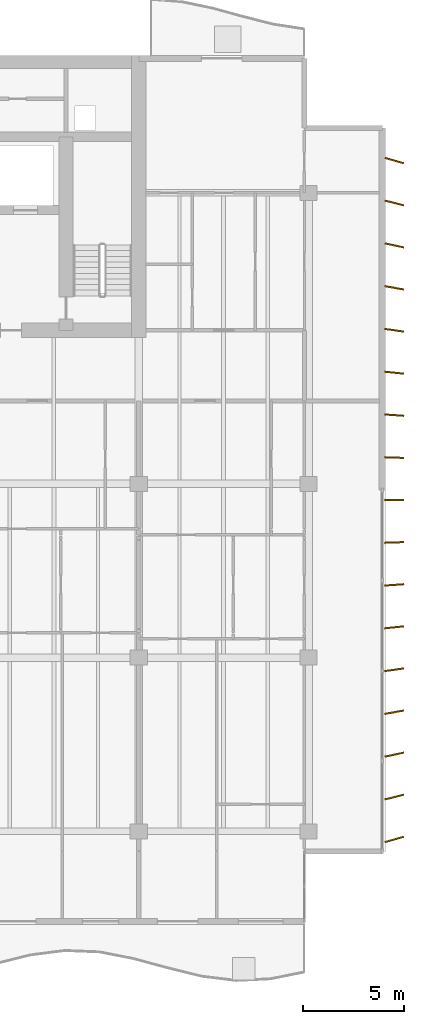
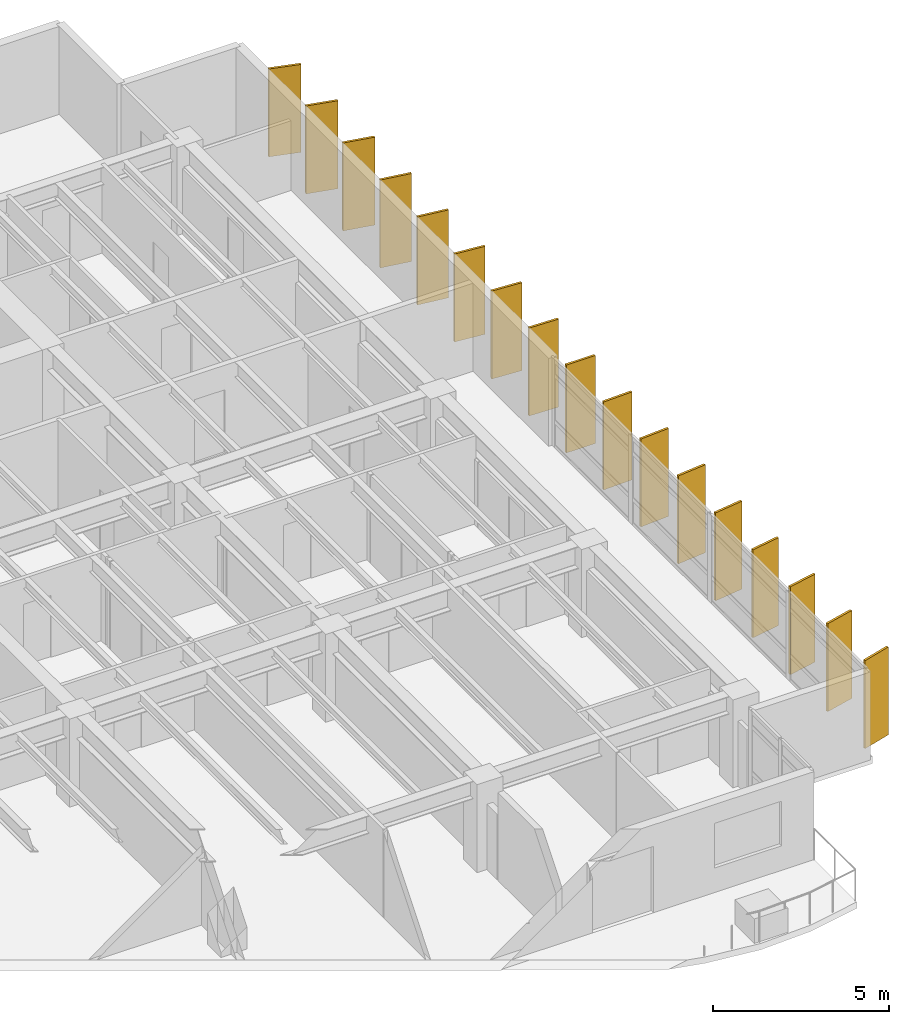
# One storey, part 19 of 19: 17 shading devices.
"""IFC4 building model written with IfcOpenShell, lengths in metres."""

from ifc_helpers import new_model, si_unit, direction, frame, origin, origin_2d, place, context, subcontext, project, spatial, rectangle, extrude, material, material_profile, profile_set, type_object, element, save


model = new_model("IFC4")

# Units and contexts
model_context = context("Model", 3, precision=1e-05, world=origin(), true_north=direction((0.0, 1.0)))
body_context = subcontext(model_context, "Body", "Model", "MODEL_VIEW")
ifc_project = project(units=[si_unit("LENGTHUNIT", "METRE"), si_unit("AREAUNIT", "SQUARE_METRE"), si_unit("VOLUMEUNIT", "CUBIC_METRE"), si_unit("PLANEANGLEUNIT", "RADIAN"), si_unit("MASSUNIT", "GRAM", prefix="KILO")], contexts=[model_context])

# Site, building, storey
site_placement = place(None, origin())
site = spatial("IfcSite", under=ifc_project, at=site_placement, CompositionType="ELEMENT")
building_placement = place(site_placement, origin())
building = spatial("IfcBuilding", under=site, at=building_placement, Name="Caelmar Bay Residences", CompositionType="ELEMENT")
storey_placement = place(building_placement, frame((0.0, 0.0, 191.699951171875)))
storey = spatial("IfcBuildingStorey", under=building, at=storey_placement, Name="L53", CompositionType="ELEMENT", Elevation=191.699951171875)

# Shading devices
ifc_material = material(Name="Anodised architectural bronze aluminium 6063-T6", Category="aluminium")
ifc_material_profile = material_profile(ifc_material, rectangle(XDim=0.074951171875, YDim=0.949951171875, at=origin_2d()), Name="BRONZE-FIN-75X950")
ifc_profile_set = profile_set([ifc_material_profile], Name="Anodised architectural bronze aluminium 6063-T6")
shading_device_type = type_object("IfcShadingDeviceType", Name="SHD-FIN-950", PredefinedType="USERDEFINED", material=ifc_profile_set)
for number, where, z_axis, x_axis, name in (
    (1, (72.14990234375, 11.800048828125, 0.0), (0.0, 0.0, 1.0), (-0.275637355817, 0.961261695938, 0.0), "L53 East Bronze Solar Fin 1"),
    (2, (72.14990234375, 13.89990234375, 0.0), (0.0, 0.0, 1.0), (-0.2419218956, 0.970295726276, 0.0), "L53 East Bronze Solar Fin 2"),
    (3, (72.14990234375, 16.0, 0.0), (0.0, 0.0, 1.0), (-0.207911690818, 0.978147600734, 0.0), "L53 East Bronze Solar Fin 3"),
    (4, (72.14990234375, 18.10009765625, 0.0), (0.0, 0.0, 1.0), (-0.173648177667, 0.984807753012, 0.0), "L53 East Bronze Solar Fin 4"),
    (5, (72.14990234375, 20.199951171875, 0.0), (0.0, 0.0, 1.0), (-0.13917310096, 0.990268068742, 0.0), "L53 East Bronze Solar Fin 5"),
    (6, (72.14990234375, 22.300048828125, 0.0), (0.0, 0.0, 1.0), (-0.104528463268, 0.994521895368, 0.0), "L53 East Bronze Solar Fin 6"),
    (7, (72.14990234375, 24.39990234375, 0.0), (0.0, 0.0, 1.0), (-0.069756473744, 0.99756405026, 0.0), "L53 East Bronze Solar Fin 7"),
    (8, (72.14990234375, 26.5, 0.0), (0.0, 0.0, 1.0), (-0.034899496703, 0.999390827019, 0.0), "L53 East Bronze Solar Fin 8"),
    (9, (72.14990234375, 28.60009765625, 0.0), (0.0, 0.0, 1.0), (0.0, 1.0, 0.0), "L53 East Bronze Solar Fin 9"),
    (10, (72.14990234375, 30.699951171875, 0.0), (0.0, 0.0, 1.0), (0.034899496703, 0.999390827019, 0.0), "L53 East Bronze Solar Fin 10"),
    (11, (72.14990234375, 32.800048828125, 0.0), (0.0, 0.0, 1.0), (0.069756473744, 0.99756405026, 0.0), "L53 East Bronze Solar Fin 11"),
    (12, (72.14990234375, 34.89990234375, 0.0), (0.0, 0.0, 1.0), (0.104528463268, 0.994521895368, 0.0), "L53 East Bronze Solar Fin 12"),
    (13, (72.14990234375, 37.0, 0.0), (0.0, 0.0, 1.0), (0.13917310096, 0.990268068742, 0.0), "L53 East Bronze Solar Fin 13"),
    (14, (72.14990234375, 39.10009765625, 0.0), (0.0, 0.0, 1.0), (0.173648177667, 0.984807753012, 0.0), "L53 East Bronze Solar Fin 14"),
    (15, (72.14990234375, 41.199951171875, 0.0), (0.0, 0.0, 1.0), (0.207911690818, 0.978147600734, 0.0), "L53 East Bronze Solar Fin 15"),
    (16, (72.14990234375, 43.300048828125, 0.0), (0.0, 0.0, 1.0), (0.2419218956, 0.970295726276, 0.0), "L53 East Bronze Solar Fin 16"),
    (17, (72.14990234375, 45.39990234375, 0.0), (0.0, 0.0, 1.0), (0.275637355817, 0.961261695938, 0.0), "L53 East Bronze Solar Fin 17"),
):
    element("IfcShadingDevice", number, at=place(storey_placement, frame(where, z_axis=z_axis, x_axis=x_axis)), inside=storey, type_object=shading_device_type, Name=name, ObjectType="FIN", PredefinedType="USERDEFINED", context=body_context, shape_type="SweptSolid", body=[
        extrude(rectangle(XDim=0.074951171875, YDim=0.949951171875, at=origin_2d()), origin(), (0.0, 0.0, 1.0), 3.050048828125),
    ])

save(model, "model.ifc")
